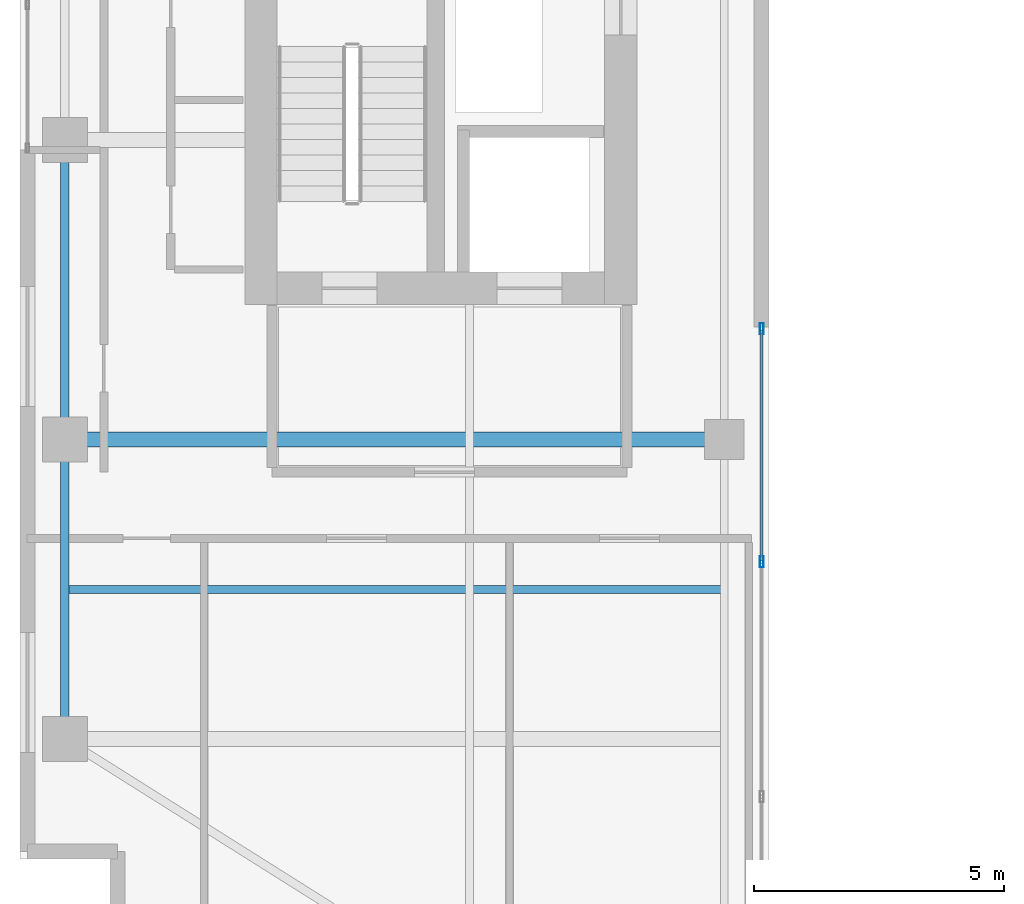
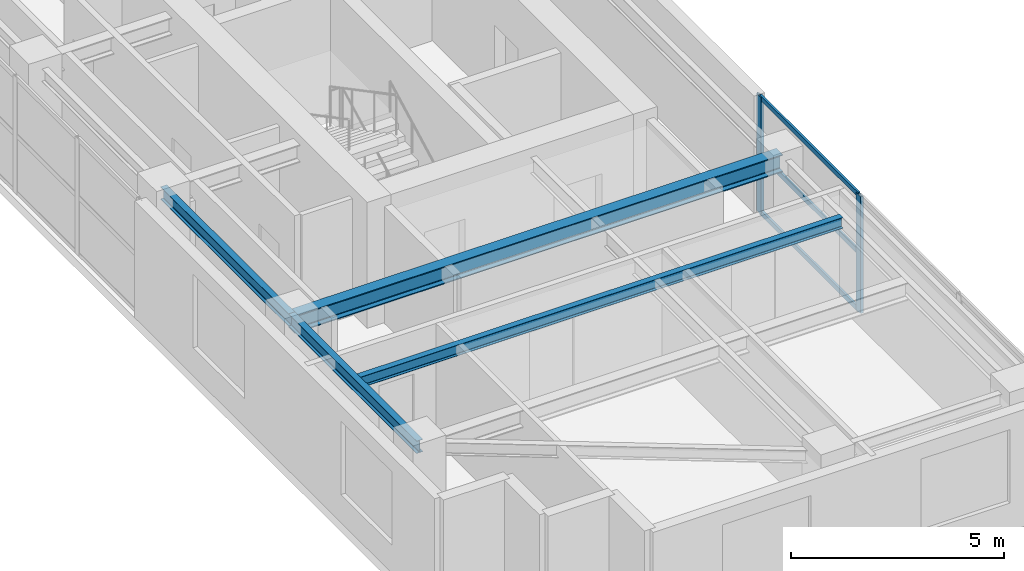
# One storey, part 3 of 21: 5 members, 4 beams, 1 element without a shape of its own.
"""IFC4 building model written with IfcOpenShell, lengths in metres."""

import ifcopenshell
import ifcopenshell.guid

model = None  # the IFC model being written
_history = None  # IfcOwnerHistory: only IFC2X3 demands one
_inside = {}  # id of a spatial element -> (the spatial element, [elements in it])
_under = {}  # id of a project, library or spatial element -> (it, [spatial elements below it])
_declared = {}  # id of a project -> (the project, [libraries it declares])
_typed = {}  # id of a type object -> (the type object, [elements of that type])
_made_of = {}  # id of a material, layer set ... -> (it, [elements and type objects made of it])


def new_model(schema):
    """Start an empty IFC model of exactly this schema.

    Asked for "IFC4X3", IfcOpenShell would pick the latest addendum, in which some entities
    have other attributes; the version numbers below select the first issue.
    IFC2X3 requires an IfcOwnerHistory on every rooted entity: one is made here for all.
    """
    global model, _history
    if schema == "IFC4X3":
        model = ifcopenshell.file(schema_version=(4, 3, 0, 0))
    else:
        model = ifcopenshell.file(schema=schema)
    _inside.clear()
    _under.clear()
    _declared.clear()
    _typed.clear()
    _made_of.clear()
    _history = None
    if model.schema == "IFC2X3":
        org = make("IfcOrganization", Name="unknown")
        user = make(
            "IfcPersonAndOrganization",
            ThePerson=make("IfcPerson", FamilyName="unknown"),
            TheOrganization=org,
        )
        app = make(
            "IfcApplication",
            ApplicationDeveloper=org,
            Version="unknown",
            ApplicationFullName="unknown",
            ApplicationIdentifier="unknown",
        )
        _history = make(
            "IfcOwnerHistory",
            OwningUser=user,
            OwningApplication=app,
            ChangeAction="ADDED",
            CreationDate=0,
        )
    return model


def make(cls, **values):
    """One entity of the class cls with the attributes given. An attribute that is None is left unset."""
    return model.create_entity(
        cls, **{name: value for name, value in values.items() if value is not None}
    )


def rooted(cls, **values):
    """An entity with a GlobalId (a new one), such as an element, a storey or a relation."""
    return make(cls, GlobalId=ifcopenshell.guid.new(), OwnerHistory=_history, **values)


def si_unit(unit_type, name, prefix=None):
    """IfcSIUnit, for example si_unit("LENGTHUNIT", "METRE", prefix="MILLI")."""
    return make("IfcSIUnit", UnitType=unit_type, Prefix=prefix, Name=name)


def assignment(units):
    """IfcUnitAssignment: the units of a project."""
    return None if units is None else make("IfcUnitAssignment", Units=units)


def point(xyz):
    """IfcCartesianPoint."""
    return None if xyz is None else make("IfcCartesianPoint", Coordinates=xyz)


def direction(xyz):
    """IfcDirection."""
    return None if xyz is None else make("IfcDirection", DirectionRatios=xyz)


def frame(location, z_axis=None, x_axis=None):
    """IfcAxis2Placement3D, a coordinate frame: its origin and axes. An axis left out is left unset."""
    return make(
        "IfcAxis2Placement3D",
        Location=point(location),
        Axis=direction(z_axis),
        RefDirection=direction(x_axis),
    )


def frame_2d(location, x_axis=None):
    """IfcAxis2Placement2D, a coordinate frame in the plane: its origin and x axis."""
    return make(
        "IfcAxis2Placement2D", Location=point(location), RefDirection=direction(x_axis)
    )


def origin():
    """The frame at (0, 0, 0) with its axes left unset."""
    return frame((0.0, 0.0, 0.0))


def origin_2d():
    """The frame at (0, 0) in the plane with its x axis left unset."""
    return frame_2d((0.0, 0.0))


def place(relative_to, where):
    """IfcLocalPlacement: puts the frame where relative to a parent placement (None: the world)."""
    return make(
        "IfcLocalPlacement", PlacementRelTo=relative_to, RelativePlacement=where
    )


def context(
    kind, dimensions, precision=None, world=None, true_north=None, identifier=None
):
    """IfcGeometricRepresentationContext, for example the 3D "Model" context."""
    return make(
        "IfcGeometricRepresentationContext",
        ContextIdentifier=identifier,
        ContextType=kind,
        CoordinateSpaceDimension=dimensions,
        Precision=precision,
        WorldCoordinateSystem=world,
        TrueNorth=true_north,
    )


def subcontext(parent, identifier, kind, view, scale=None):
    """IfcGeometricRepresentationSubContext, for example "Body" below "Model"."""
    return make(
        "IfcGeometricRepresentationSubContext",
        ContextIdentifier=identifier,
        ContextType=kind,
        ParentContext=parent,
        TargetScale=scale,
        TargetView=view,
    )


def project(units=None, contexts=None):
    """IfcProject with its units and contexts."""
    return rooted(
        "IfcProject",
        Name="project",
        RepresentationContexts=contexts,
        UnitsInContext=assignment(units),
    )


def spatial(cls, under=None, at=None, **own):
    """A site, building, storey or space (cls), placed at a placement, below another one or the project."""
    s = rooted(cls, ObjectPlacement=at, **own)
    if under is not None:
        _under.setdefault(under.id(), (under, []))[1].append(s)
    return s


def profile(cls, at=None, kind="AREA", **sizes):
    """A parametric profile (cls). Its sizes go by their IFC names, for example OverallWidth=200.0."""
    return make(cls, ProfileType=kind, Position=at, **sizes)


def hollow_rectangle(**sizes):
    """IfcRectangleHollowProfileDef."""
    return profile("IfcRectangleHollowProfileDef", **sizes)


def i_section(**sizes):
    """IfcIShapeProfileDef."""
    return profile("IfcIShapeProfileDef", **sizes)


def extrude(swept, where, along, depth):
    """IfcExtrudedAreaSolid: the profile swept, set in the frame where, extruded along a direction by depth."""
    return make(
        "IfcExtrudedAreaSolid",
        SweptArea=swept,
        Position=where,
        ExtrudedDirection=direction(along),
        Depth=depth,
    )


def shape(context_of_items, identifier, shape_type, items):
    """IfcShapeRepresentation: the items that make up one representation, for example the "Body"."""
    return make(
        "IfcShapeRepresentation",
        ContextOfItems=context_of_items,
        RepresentationIdentifier=identifier,
        RepresentationType=shape_type,
        Items=items,
    )


def source(mapping_origin, context_of_items, identifier, shape_type, items):
    """IfcRepresentationMap: a shape defined once, which mapped items show again and again."""
    return make(
        "IfcRepresentationMap",
        MappingOrigin=mapping_origin,
        MappedRepresentation=shape(context_of_items, identifier, shape_type, items),
    )


def transform(
    local_origin,
    x_axis=None,
    y_axis=None,
    z_axis=None,
    scale=None,
    scale2=None,
    scale3=None,
    uniform=True,
):
    """IfcCartesianTransformationOperator3D, or its non-uniform kind. x_axis, y_axis, z_axis: its Axis1, 2, 3."""
    if uniform:
        return make(
            "IfcCartesianTransformationOperator3D",
            Axis1=direction(x_axis),
            Axis2=direction(y_axis),
            LocalOrigin=point(local_origin),
            Scale=scale,
            Axis3=direction(z_axis),
        )
    return make(
        "IfcCartesianTransformationOperator3DnonUniform",
        Axis1=direction(x_axis),
        Axis2=direction(y_axis),
        LocalOrigin=point(local_origin),
        Scale=scale,
        Axis3=direction(z_axis),
        Scale2=scale2,
        Scale3=scale3,
    )


def mapped(mapping_source, mapping_target):
    """IfcMappedItem: shows the shape of a source again, moved by a transform."""
    return make(
        "IfcMappedItem", MappingSource=mapping_source, MappingTarget=mapping_target
    )


def material(Name=None, Category=None):
    """IfcMaterial."""
    return make("IfcMaterial", Name=Name, Category=Category)


def layer(
    of_material, thickness, ventilated=None, Name=None, Category=None, Priority=None
):
    """IfcMaterialLayer: one layer of a wall or slab, of a material (None: an air gap)."""
    return make(
        "IfcMaterialLayer",
        Material=of_material,
        LayerThickness=thickness,
        IsVentilated=ventilated,
        Name=Name,
        Category=Category,
        Priority=Priority,
    )


def layer_set(layers, Name=None):
    """IfcMaterialLayerSet."""
    return make("IfcMaterialLayerSet", MaterialLayers=layers, LayerSetName=Name)


def material_profile(
    of_material, cross_section, Name=None, Category=None, Priority=None
):
    """IfcMaterialProfile: a cross section and its material."""
    return make(
        "IfcMaterialProfile",
        Name=Name,
        Material=of_material,
        Profile=cross_section,
        Priority=Priority,
        Category=Category,
    )


def profile_set(profiles, Name=None, composite=None):
    """IfcMaterialProfileSet."""
    return make(
        "IfcMaterialProfileSet",
        Name=Name,
        MaterialProfiles=profiles,
        CompositeProfile=composite,
    )


def made_of(thing, what):
    """Note that an element or type object is made of a material, layer set ...; save() writes the relation."""
    if what is not None:
        _made_of.setdefault(what.id(), (what, []))[1].append(thing)
    return thing


def type_object(cls, material=None, **own):
    """A type object (cls), such as IfcWallType, which elements share."""
    return made_of(rooted(cls, **own), material)


def element(
    cls,
    number,
    at=None,
    inside=None,
    cuts=None,
    type_object=None,
    material=None,
    context=None,
    identifier="Body",
    shape_type=None,
    held_by="IfcProductDefinitionShape",
    body=None,
    shapes=None,
    **own,
):
    """One element of the class cls, such as IfcWall. Its Tag is "e" and its number.

    at: its placement. inside: the storey or other place that contains it. cuts: it is an
    opening in that element (IfcRelVoidsElement). A single representation is given by context,
    identifier, shape_type and body (its items); several are given by shapes. held_by: the class
    of the entity that holds the representations. save() writes the other relations.
    """
    e = rooted(cls, Tag="e%d" % number, ObjectPlacement=at, **own)
    if body is not None:
        shapes = [shape(context, identifier, shape_type, body)]
    if shapes is not None:
        e.Representation = make(held_by, Representations=shapes)
    if inside is not None:
        _inside.setdefault(inside.id(), (inside, []))[1].append(e)
    if cuts is not None:
        rooted(
            "IfcRelVoidsElement", RelatingBuildingElement=cuts, RelatedOpeningElement=e
        )
    if type_object is not None:
        _typed.setdefault(type_object.id(), (type_object, []))[1].append(e)
    return made_of(e, material)


def aggregate(whole, parts):
    """IfcRelAggregates: a whole, such as a stair, and the parts it consists of."""
    return rooted("IfcRelAggregates", RelatingObject=whole, RelatedObjects=parts)


def save(model, path):
    """Write the relations noted so far, then the file.

    IfcRelAggregates (storeys below a building ...), IfcRelContainedInSpatialStructure (elements
    in a storey), IfcRelDefinesByType, IfcRelAssociatesMaterial and IfcRelDeclares: one each for
    every whole, place, type object, material and project.
    """
    for whole, parts in _under.values():
        aggregate(whole, parts)
    for where, things in _inside.values():
        rooted(
            "IfcRelContainedInSpatialStructure",
            RelatedElements=things,
            RelatingStructure=where,
        )
    for kind, things in _typed.values():
        rooted("IfcRelDefinesByType", RelatedObjects=things, RelatingType=kind)
    for what, things in _made_of.values():
        rooted("IfcRelAssociatesMaterial", RelatedObjects=things, RelatingMaterial=what)
    for by, libraries in _declared.values():
        rooted("IfcRelDeclares", RelatingContext=by, RelatedDefinitions=libraries)
    model.write(path)


model = new_model("IFC4")

# Units and contexts
model_context = context("Model", 3, precision=1e-05, world=origin(), true_north=direction((0.0, 1.0)))
body_context = subcontext(model_context, "Body", "Model", "MODEL_VIEW")
ifc_project = project(units=[si_unit("LENGTHUNIT", "METRE"), si_unit("AREAUNIT", "SQUARE_METRE"), si_unit("VOLUMEUNIT", "CUBIC_METRE"), si_unit("PLANEANGLEUNIT", "RADIAN"), si_unit("MASSUNIT", "GRAM", prefix="KILO")], contexts=[model_context])

# Site, building, storey
site_placement = place(None, origin())
site = spatial("IfcSite", under=ifc_project, at=site_placement, CompositionType="ELEMENT")
building_placement = place(site_placement, origin())
building = spatial("IfcBuilding", under=site, at=building_placement, Name="Khoralis Quay Care Tower", CompositionType="ELEMENT")
storey_placement = place(building_placement, frame((0.0, 0.0, 206.10009765625)))
storey = spatial("IfcBuildingStorey", under=building, at=storey_placement, Name="L54", CompositionType="ELEMENT", Elevation=206.10009765625)

# Beams
ifc_material_1 = material(Name="Steel S355", Category="steel")
ifc_material_profile_1 = material_profile(ifc_material_1, i_section(OverallWidth=0.169921875, OverallDepth=0.360107421875, WebThickness=0.008056640625, FlangeThickness=0.0126953125, FilletRadius=0.01806640625, at=origin_2d()), Name="Steel S355")
ifc_profile_set_1 = profile_set([ifc_material_profile_1], Name="Steel S355")
beam_type_1 = type_object("IfcBeamType", Name="BM-IPE360", PredefinedType="SPANDREL", material=ifc_profile_set_1)
shared_shape_1 = source(origin(), body_context, "Body", "SweptSolid", [
    extrude(i_section(OverallWidth=0.169921875, OverallDepth=0.360107421875, WebThickness=0.008056640625, FlangeThickness=0.0126953125, FilletRadius=0.01806640625, at=origin_2d()), origin(), (0.0, 0.0, 1.0), 6.0),
])
for number, where, z_axis, x_axis, name in (
    (1, (3.89990234375, 6.0, 3.159912109375), (0.0, 1.0, 0.0), (-1.0, 0.0, 0.0), "BM-TSP-L54-05"),
    (2, (3.89990234375, 12.0, 3.159912109375), (0.0, 1.0, 0.0), (-1.0, 0.0, 0.0), "BM-TSP-L54-06"),
):
    element("IfcBeam", number, at=place(storey_placement, frame(where, z_axis=z_axis, x_axis=x_axis)), inside=storey, type_object=beam_type_1, Name=name, PredefinedType="SPANDREL", context=body_context, shape_type="MappedRepresentation", body=[
        mapped(shared_shape_1, transform((0.0, 0.0, 0.0), scale=1.0)),
    ])
ifc_material_profile_2 = material_profile(ifc_material_1, i_section(OverallWidth=0.300048828125, OverallDepth=0.5, WebThickness=0.014404296875, FlangeThickness=0.028076171875, FilletRadius=0.027099609375, at=origin_2d()), Name="Steel S355")
ifc_profile_set_2 = profile_set([ifc_material_profile_2], Name="Steel S355")
beam_type_2 = type_object("IfcBeamType", Name="BM-HEB500", PredefinedType="BEAM", material=ifc_profile_set_2)
shared_shape_2 = source(origin(), body_context, "Body", "SweptSolid", [
    extrude(i_section(OverallWidth=0.300048828125, OverallDepth=0.5, WebThickness=0.014404296875, FlangeThickness=0.028076171875, FilletRadius=0.027099609375, at=origin_2d()), origin(), (0.0, 0.0, 1.0), 13.2001953125),
])
beam_1_placement = place(storey_placement, frame((3.89990234375, 12.0, 3.08984375), z_axis=(1.0, 0.0, 0.0), x_axis=(0.0, 1.0, 0.0)))
element("IfcBeam", 3, at=beam_1_placement, inside=storey, type_object=beam_type_2, Name="BM-TGXW-L54-120", PredefinedType="BEAM", context=body_context, shape_type="MappedRepresentation", body=[
    mapped(shared_shape_2, transform((0.0, 0.0, 0.0), scale=1.0)),
])
ifc_material_profile_3 = material_profile(ifc_material_1, i_section(OverallWidth=0.1650390625, OverallDepth=0.31005859375, WebThickness=0.005859375, FlangeThickness=0.009765625, FilletRadius=0.011962890625, at=origin_2d()), Name="Steel S355")
ifc_profile_set_3 = profile_set([ifc_material_profile_3], Name="Steel S355")
beam_type_3 = type_object("IfcBeamType", Name="BM-W310X39", PredefinedType="JOIST", material=ifc_profile_set_3)
shared_shape_3 = source(origin(), body_context, "Body", "SweptSolid", [
    extrude(i_section(OverallWidth=0.1650390625, OverallDepth=0.31005859375, WebThickness=0.005859375, FlangeThickness=0.009765625, FilletRadius=0.011962890625, at=origin_2d()), origin(), (0.0, 0.0, 1.0), 13.06396484375),
])
beam_2_placement = place(storey_placement, frame((3.970947265625, 9.0, 3.184814453125), z_axis=(1.0, 0.0, 0.0), x_axis=(0.0, 1.0, 0.0)))
element("IfcBeam", 4, at=beam_2_placement, inside=storey, type_object=beam_type_3, Name="BM-TJS-L54-19", PredefinedType="JOIST", context=body_context, shape_type="MappedRepresentation", body=[
    mapped(shared_shape_3, transform((0.0, 0.0, 0.0), scale=1.0)),
])

# Curtain wall, members
ifc_material_2 = material(Name="Pale anodised aluminium", Category="aluminium")
ifc_layer = layer(ifc_material_2, 0.18994140625)
ifc_layer_set = layer_set([ifc_layer], Name="Pale anodised aluminium")
curtain_wall_type = type_object("IfcCurtainWallType", Name="CW-SYS-PORTAL", PredefinedType="NOTDEFINED", material=ifc_layer_set)
curtain_wall_placement = place(storey_placement, origin())
curtain_wall = element("IfcCurtainWall", 5, at=curtain_wall_placement, inside=storey, type_object=curtain_wall_type, Name="L54 Unitised Curtain Wall CW-VP-L54-P1-S", PredefinedType="NOTDEFINED")
ifc_material_profile_4 = material_profile(ifc_material_2, hollow_rectangle(XDim=0.06005859375, YDim=0.139892578125, WallThickness=0.00390625, at=origin_2d()), Name="Pale anodised aluminium")
ifc_profile_set_4 = profile_set([ifc_material_profile_4], Name="Pale anodised aluminium")
member_type_1 = type_object("IfcMemberType", Name="CW-TRN-140", PredefinedType="USERDEFINED", material=ifc_profile_set_4)
shared_shape_4 = source(origin(), body_context, "Body", "SweptSolid", [
    extrude(hollow_rectangle(XDim=0.06005859375, YDim=0.139892578125, WallThickness=0.00390625, at=origin_2d()), origin(), (0.0, 0.0, 1.0), 4.60986328125),
])
member_1_placement = place(storey_placement, frame((17.85009765625, 9.580078125, 0.02978515625), z_axis=(0.0, 1.0, 0.0), x_axis=(-1.0, 0.0, 0.0)))
member_1 = element("IfcMember", 6, at=member_1_placement, type_object=member_type_1, Name="CW4 transom 3.1", ObjectType="TRANSOM", PredefinedType="USERDEFINED", context=body_context, shape_type="MappedRepresentation", body=[
    mapped(shared_shape_4, transform((0.0, 0.0, 0.0), scale=1.0)),
])
member_2_placement = place(storey_placement, frame((17.85009765625, 9.580078125, 1.669921875), z_axis=(0.0, 1.0, 0.0), x_axis=(-1.0, 0.0, 0.0)))
member_2 = element("IfcMember", 7, at=member_2_placement, type_object=member_type_1, Name="CW4 transom 3.2", ObjectType="TRANSOM", PredefinedType="USERDEFINED", context=body_context, shape_type="MappedRepresentation", body=[
    mapped(shared_shape_4, transform((0.0, 0.0, 0.0), scale=1.0)),
])
member_3_placement = place(storey_placement, frame((17.85009765625, 9.580078125, 3.309814453125), z_axis=(0.0, 1.0, 0.0), x_axis=(-1.0, 0.0, 0.0)))
member_3 = element("IfcMember", 8, at=member_3_placement, type_object=member_type_1, Name="CW4 transom 3.3", ObjectType="TRANSOM", PredefinedType="USERDEFINED", context=body_context, shape_type="MappedRepresentation", body=[
    mapped(shared_shape_4, transform((0.0, 0.0, 0.0), scale=1.0)),
])
ifc_material_profile_5 = material_profile(ifc_material_2, hollow_rectangle(XDim=0.074951171875, YDim=0.219970703125, WallThickness=0.00390625, at=origin_2d()), Name="Pale anodised aluminium")
ifc_profile_set_5 = profile_set([ifc_material_profile_5], Name="Pale anodised aluminium")
member_type_2 = type_object("IfcMemberType", Name="CW-MUL-220", PredefinedType="MULLION", material=ifc_profile_set_5)
shared_shape_5 = source(origin(), body_context, "Body", "SweptSolid", [
    extrude(hollow_rectangle(XDim=0.074951171875, YDim=0.219970703125, WallThickness=0.00390625, at=origin_2d()), origin(), (0.0, 0.0, 1.0), 3.33984375),
])
member_4_placement = place(storey_placement, frame((17.85009765625, 9.550048828125, 0.0), z_axis=(0.0, 0.0, 1.0), x_axis=(-1.0, 0.0, 0.0)))
member_4 = element("IfcMember", 9, at=member_4_placement, type_object=member_type_2, Name="CW4 mullion 3", PredefinedType="MULLION", context=body_context, shape_type="MappedRepresentation", body=[
    mapped(shared_shape_5, transform((0.0, 0.0, 0.0), scale=1.0)),
])
member_5_placement = place(storey_placement, frame((17.85009765625, 14.219970703125, 0.0), z_axis=(0.0, 0.0, 1.0), x_axis=(-1.0, 0.0, 0.0)))
member_5 = element("IfcMember", 10, at=member_5_placement, type_object=member_type_2, Name="CW4 mullion 4", PredefinedType="MULLION", context=body_context, shape_type="MappedRepresentation", body=[
    mapped(shared_shape_5, transform((0.0, 0.0, 0.0), scale=1.0)),
])
aggregate(curtain_wall, [member_4, member_5, member_1, member_2, member_3])

save(model, "model.ifc")
